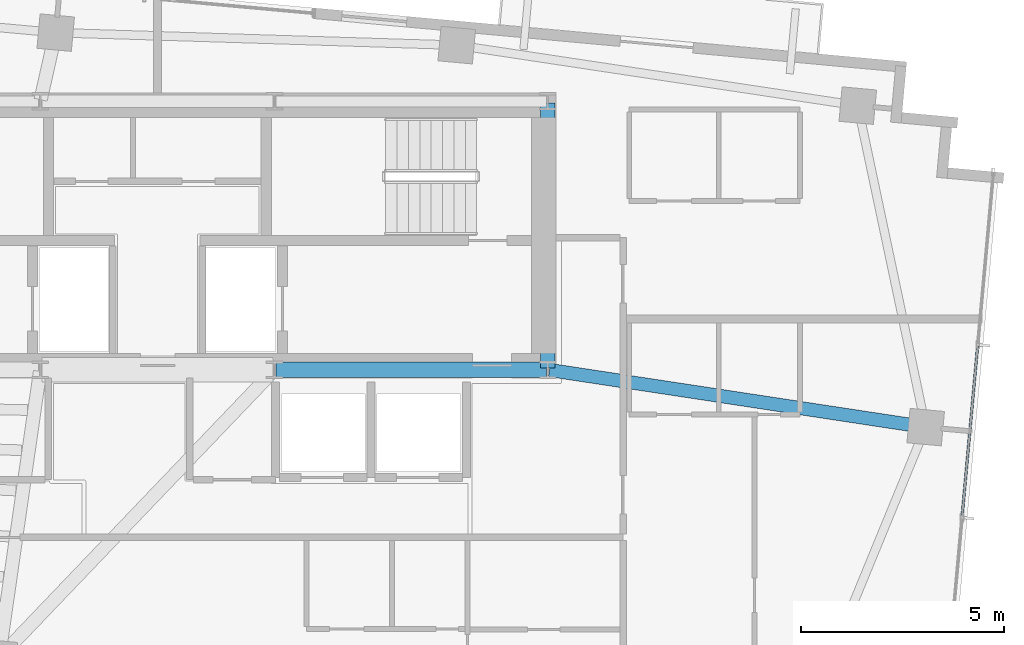
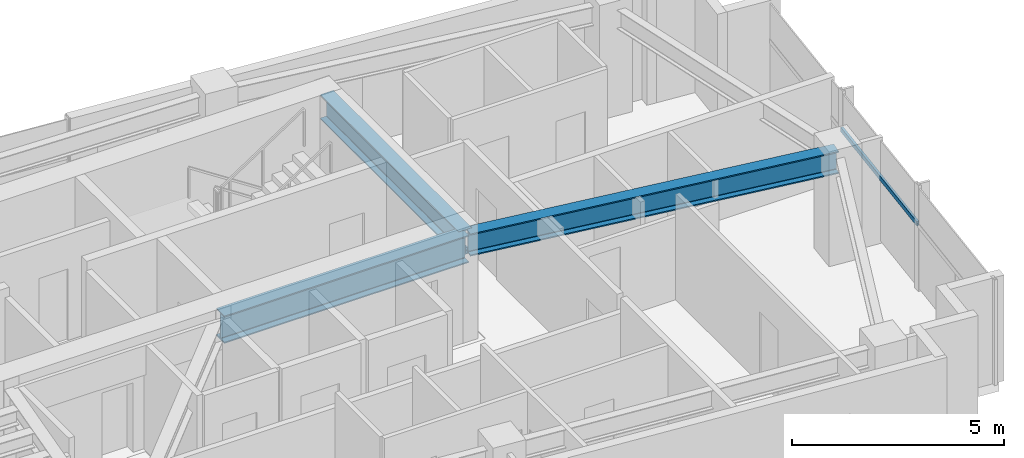
# One storey, part 13 of 22: 3 beams, 1 member, 1 element without a shape of its own.
"""IFC4 building model written with IfcOpenShell, lengths in metres."""

from ifc_helpers import new_model, si_unit, direction, frame, origin, origin_2d, place, context, subcontext, project, spatial, hollow_rectangle, i_section, extrude, source, transform, mapped, material, material_profile, profile_set, type_object, type_shapes, element, aggregate, save


model = new_model("IFC4")

# Units and contexts
model_context = context("Model", 3, precision=1e-05, world=origin(), true_north=direction((0.0, 1.0)))
body_context = subcontext(model_context, "Body", "Model", "MODEL_VIEW")
ifc_project = project(units=[si_unit("LENGTHUNIT", "METRE"), si_unit("AREAUNIT", "SQUARE_METRE"), si_unit("VOLUMEUNIT", "CUBIC_METRE"), si_unit("PLANEANGLEUNIT", "RADIAN"), si_unit("MASSUNIT", "GRAM", prefix="KILO")], contexts=[model_context])

# Site, building, storey
site_placement = place(None, origin())
site = spatial("IfcSite", under=ifc_project, at=site_placement, CompositionType="ELEMENT")
building_placement = place(site_placement, origin())
building = spatial("IfcBuilding", under=site, at=building_placement, Name="Astriad Promenade Condominiums", CompositionType="ELEMENT")
storey_placement = place(building_placement, frame((0.0, 0.0, 249.60009765625)))
storey = spatial("IfcBuildingStorey", under=building, at=storey_placement, Name="L72", CompositionType="ELEMENT", Elevation=249.60009765625)

# Beams
ifc_material_1 = material(Name="Steel ASTM A992 Grade 50", Category="steel")
ifc_material_profile_1 = material_profile(ifc_material_1, i_section(OverallWidth=0.3837890625, OverallDepth=0.785888671875, WebThickness=0.019775390625, FlangeThickness=0.033447265625, FilletRadius=0.021484375, at=origin_2d()), Name="W30X211")
ifc_profile_set_1 = profile_set([ifc_material_profile_1], Name="Steel ASTM A992 Grade 50")
beam_type_1 = type_object("IfcBeamType", Name="STEEL FLOOR GIRDER W30X211", PredefinedType="BEAM", material=ifc_profile_set_1)
shared_shape_1 = source(origin(), body_context, "Body", "SweptSolid", [
    extrude(i_section(OverallWidth=0.3837890625, OverallDepth=0.785888671875, WebThickness=0.019775390625, FlangeThickness=0.033447265625, FilletRadius=0.021484375, at=origin_2d()), origin(), (0.0, 0.0, 1.0), 6.64013671875),
])
type_shapes(beam_type_1, [shared_shape_1])
beam_1_placement = place(storey_placement, frame((38.919921875, 17.39990234375, 2.64697265625), z_axis=(1.0, 0.0, 0.0), x_axis=(0.0, 1.0, 0.0)))
element("IfcBeam", 1, at=beam_1_placement, inside=storey, type_object=beam_type_1, Name="Core Ring Beam CG-S3-L72", PredefinedType="BEAM", context=body_context, shape_type="MappedRepresentation", body=[
    mapped(shared_shape_1, transform((0.0, 0.0, 0.0), scale=1.0)),
])
ifc_material_profile_2 = material_profile(ifc_material_1, i_section(OverallWidth=0.35791015625, OverallDepth=0.706298828125, WebThickness=0.018310546875, FlangeThickness=0.0302734375, FilletRadius=0.020263671875, at=origin_2d()), Name="W27X178")
ifc_profile_set_2 = profile_set([ifc_material_profile_2], Name="Steel ASTM A992 Grade 50")
beam_type_2 = type_object("IfcBeamType", Name="STEEL FLOOR GIRDER W27X178", PredefinedType="BEAM", material=ifc_profile_set_2)
shared_shape_2 = source(origin(), body_context, "Body", "SweptSolid", [
    extrude(i_section(OverallWidth=0.35791015625, OverallDepth=0.706298828125, WebThickness=0.018310546875, FlangeThickness=0.0302734375, FilletRadius=0.020263671875, at=origin_2d()), origin(), (0.0, 0.0, 1.0), 6.52001953125),
])
type_shapes(beam_type_2, [shared_shape_2])
beam_2_placement = place(storey_placement, frame((45.60009765625, 17.43994140625, 2.686767578125), z_axis=(0.0, 1.0, 0.0), x_axis=(-1.0, 0.0, 0.0)))
element("IfcBeam", 2, at=beam_2_placement, inside=storey, type_object=beam_type_2, Name="Core Ring Beam CG-E1-L72", PredefinedType="BEAM", context=body_context, shape_type="MappedRepresentation", body=[
    mapped(shared_shape_2, transform((0.0, 0.0, 0.0), scale=1.0)),
])
ifc_material_profile_3 = material_profile(ifc_material_1, i_section(OverallWidth=0.327392578125, OverallDepth=0.640625, WebThickness=0.01904296875, FlangeThickness=0.033935546875, FilletRadius=0.017822265625, at=origin_2d()), Name="W24X176")
ifc_profile_set_3 = profile_set([ifc_material_profile_3], Name="Steel ASTM A992 Grade 50")
beam_type_3 = type_object("IfcBeamType", Name="STEEL FLOOR GIRDER W24X176", PredefinedType="BEAM", material=ifc_profile_set_3)
shared_shape_3 = source(origin(), body_context, "Body", "SweptSolid", [
    extrude(i_section(OverallWidth=0.327392578125, OverallDepth=0.640625, WebThickness=0.01904296875, FlangeThickness=0.033935546875, FilletRadius=0.017822265625, at=origin_2d()), origin(), (0.0, 0.0, 1.0), 9.315185546875),
])
type_shapes(beam_type_3, [shared_shape_3])
beam_3_placement = place(storey_placement, frame((54.84912109375, 15.995849609375, 2.719482421875), z_axis=(-0.988671230988, 0.150097291834, 0.0), x_axis=(-0.150097291834, -0.988671230988, 0.0)))
element("IfcBeam", 3, at=beam_3_placement, inside=storey, type_object=beam_type_3, Name="Primary Floor Girder PG-EM-L72", PredefinedType="BEAM", context=body_context, shape_type="MappedRepresentation", body=[
    mapped(shared_shape_3, transform((0.0, 0.0, 0.0), scale=1.0)),
])

# Curtain wall, member
ifc_material_2 = material(Name="Anodised aluminium Black Dark Glass Unitised", Category="aluminium")
curtain_wall_type = type_object("IfcCurtainWallType", Name="CW-B5-DARK", PredefinedType="USERDEFINED", material=ifc_material_2)
curtain_wall_placement = place(storey_placement, origin())
curtain_wall = element("IfcCurtainWall", 4, at=curtain_wall_placement, inside=storey, type_object=curtain_wall_type, Name="CW-L72-E", ObjectType="UNITISED_CURTAIN_WALL", PredefinedType="USERDEFINED")
ifc_material_3 = material(Name="Anodised aluminium 6063-T6 Black", Category="aluminium")
ifc_material_profile_4 = material_profile(ifc_material_3, hollow_rectangle(XDim=0.06494140625, YDim=0.1298828125, WallThickness=0.00390625, at=origin_2d()), Name="ALU-TRN-65X130")
ifc_profile_set_4 = profile_set([ifc_material_profile_4], Name="Anodised aluminium 6063-T6 Black")
member_type = type_object("IfcMemberType", Name="TRN-ALU-TRN-65X130", PredefinedType="USERDEFINED", material=ifc_profile_set_4)
shared_shape_4 = source(origin(), body_context, "Body", "SweptSolid", [
    extrude(hollow_rectangle(XDim=0.06494140625, YDim=0.1298828125, WallThickness=0.00390625, at=origin_2d()), origin(), (0.0, 0.0, 1.0), 4.266845703125),
])
type_shapes(member_type, [shared_shape_4])
member_placement = place(storey_placement, frame((56.16748046875, 18.015625, 1.884765625), z_axis=(-0.090633767096, -0.995884290599, 0.0), x_axis=(0.995884290599, -0.090633767096, 0.0)))
member = element("IfcMember", 5, at=member_placement, type_object=member_type, Name="CW-L72-E-TRN-01-0", ObjectType="TRANSOM", PredefinedType="USERDEFINED", context=body_context, shape_type="MappedRepresentation", body=[
    mapped(shared_shape_4, transform((0.0, 0.0, 0.0), scale=1.0)),
])
aggregate(curtain_wall, [member])

save(model, "model.ifc")
